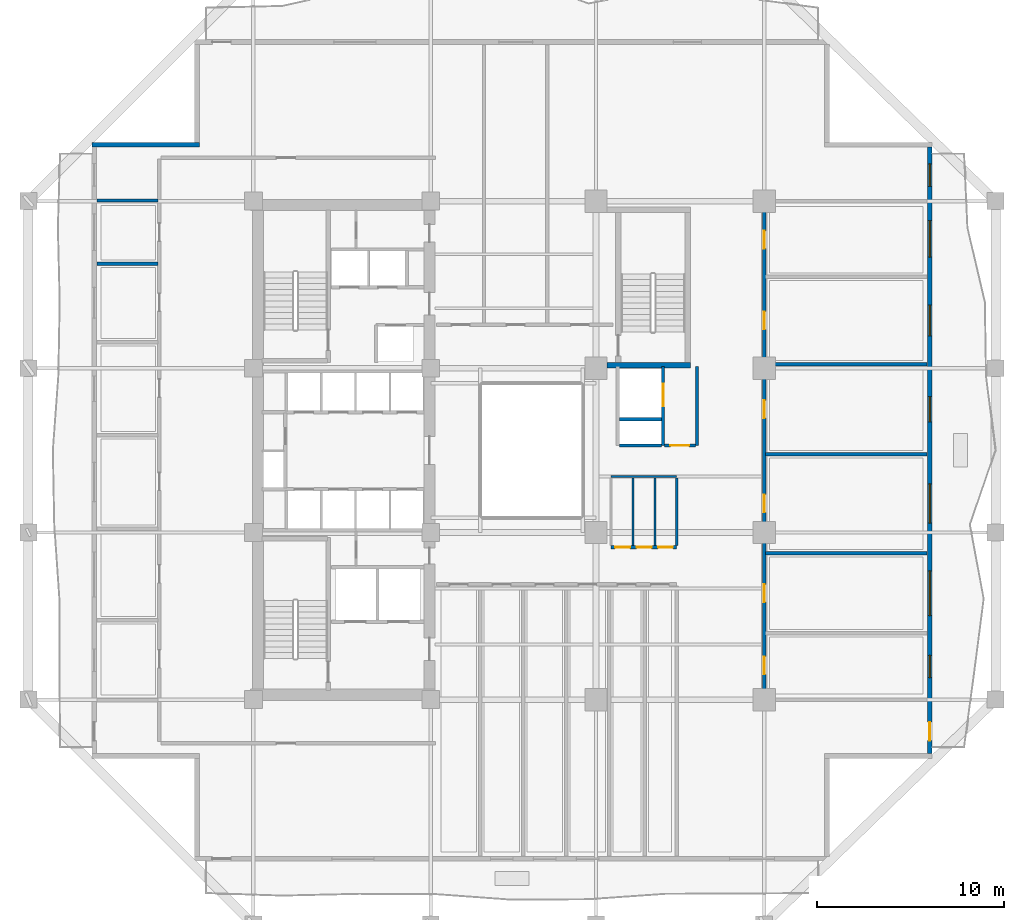
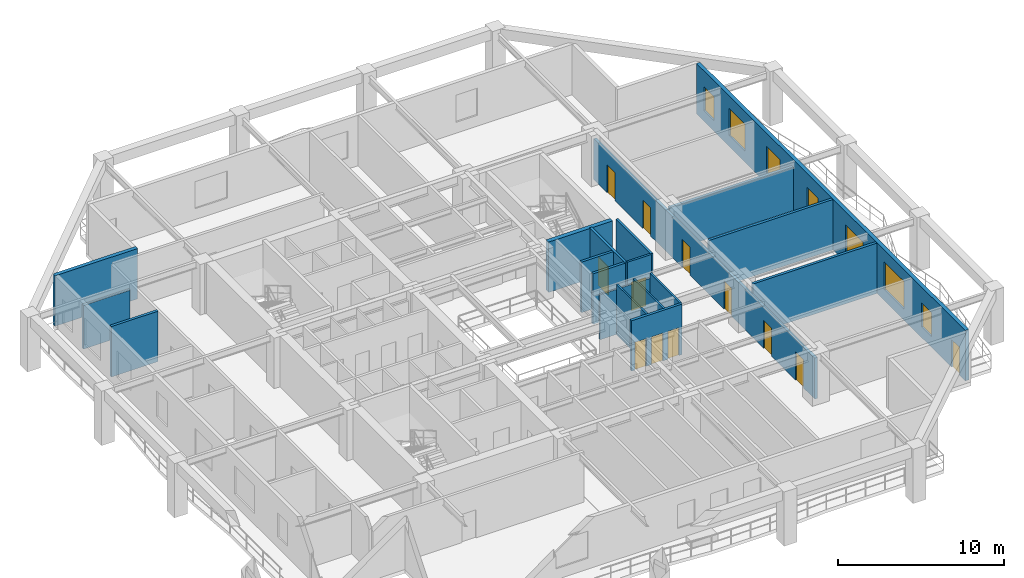
# One storey, part 5 of 14: 19 walls, 12 doors, 7 windows, 19 openings.
"""IFC4 building model written with IfcOpenShell, lengths in metres."""

import ifcopenshell
import ifcopenshell.guid

model = None  # the IFC model being written
_history = None  # IfcOwnerHistory: only IFC2X3 demands one
_inside = {}  # id of a spatial element -> (the spatial element, [elements in it])
_under = {}  # id of a project, library or spatial element -> (it, [spatial elements below it])
_declared = {}  # id of a project -> (the project, [libraries it declares])
_typed = {}  # id of a type object -> (the type object, [elements of that type])
_made_of = {}  # id of a material, layer set ... -> (it, [elements and type objects made of it])


def new_model(schema):
    """Start an empty IFC model of exactly this schema.

    Asked for "IFC4X3", IfcOpenShell would pick the latest addendum, in which some entities
    have other attributes; the version numbers below select the first issue.
    IFC2X3 requires an IfcOwnerHistory on every rooted entity: one is made here for all.
    """
    global model, _history
    if schema == "IFC4X3":
        model = ifcopenshell.file(schema_version=(4, 3, 0, 0))
    else:
        model = ifcopenshell.file(schema=schema)
    _inside.clear()
    _under.clear()
    _declared.clear()
    _typed.clear()
    _made_of.clear()
    _history = None
    if model.schema == "IFC2X3":
        org = make("IfcOrganization", Name="unknown")
        user = make(
            "IfcPersonAndOrganization",
            ThePerson=make("IfcPerson", FamilyName="unknown"),
            TheOrganization=org,
        )
        app = make(
            "IfcApplication",
            ApplicationDeveloper=org,
            Version="unknown",
            ApplicationFullName="unknown",
            ApplicationIdentifier="unknown",
        )
        _history = make(
            "IfcOwnerHistory",
            OwningUser=user,
            OwningApplication=app,
            ChangeAction="ADDED",
            CreationDate=0,
        )
    return model


def make(cls, **values):
    """One entity of the class cls with the attributes given. An attribute that is None is left unset."""
    return model.create_entity(
        cls, **{name: value for name, value in values.items() if value is not None}
    )


def rooted(cls, **values):
    """An entity with a GlobalId (a new one), such as an element, a storey or a relation."""
    return make(cls, GlobalId=ifcopenshell.guid.new(), OwnerHistory=_history, **values)


def si_unit(unit_type, name, prefix=None):
    """IfcSIUnit, for example si_unit("LENGTHUNIT", "METRE", prefix="MILLI")."""
    return make("IfcSIUnit", UnitType=unit_type, Prefix=prefix, Name=name)


def assignment(units):
    """IfcUnitAssignment: the units of a project."""
    return None if units is None else make("IfcUnitAssignment", Units=units)


def point(xyz):
    """IfcCartesianPoint."""
    return None if xyz is None else make("IfcCartesianPoint", Coordinates=xyz)


def direction(xyz):
    """IfcDirection."""
    return None if xyz is None else make("IfcDirection", DirectionRatios=xyz)


def frame(location, z_axis=None, x_axis=None):
    """IfcAxis2Placement3D, a coordinate frame: its origin and axes. An axis left out is left unset."""
    return make(
        "IfcAxis2Placement3D",
        Location=point(location),
        Axis=direction(z_axis),
        RefDirection=direction(x_axis),
    )


def frame_2d(location, x_axis=None):
    """IfcAxis2Placement2D, a coordinate frame in the plane: its origin and x axis."""
    return make(
        "IfcAxis2Placement2D", Location=point(location), RefDirection=direction(x_axis)
    )


def origin():
    """The frame at (0, 0, 0) with its axes left unset."""
    return frame((0.0, 0.0, 0.0))


def place(relative_to, where):
    """IfcLocalPlacement: puts the frame where relative to a parent placement (None: the world)."""
    return make(
        "IfcLocalPlacement", PlacementRelTo=relative_to, RelativePlacement=where
    )


def context(
    kind, dimensions, precision=None, world=None, true_north=None, identifier=None
):
    """IfcGeometricRepresentationContext, for example the 3D "Model" context."""
    return make(
        "IfcGeometricRepresentationContext",
        ContextIdentifier=identifier,
        ContextType=kind,
        CoordinateSpaceDimension=dimensions,
        Precision=precision,
        WorldCoordinateSystem=world,
        TrueNorth=true_north,
    )


def subcontext(parent, identifier, kind, view, scale=None):
    """IfcGeometricRepresentationSubContext, for example "Body" below "Model"."""
    return make(
        "IfcGeometricRepresentationSubContext",
        ContextIdentifier=identifier,
        ContextType=kind,
        ParentContext=parent,
        TargetScale=scale,
        TargetView=view,
    )


def project(units=None, contexts=None):
    """IfcProject with its units and contexts."""
    return rooted(
        "IfcProject",
        Name="project",
        RepresentationContexts=contexts,
        UnitsInContext=assignment(units),
    )


def spatial(cls, under=None, at=None, **own):
    """A site, building, storey or space (cls), placed at a placement, below another one or the project."""
    s = rooted(cls, ObjectPlacement=at, **own)
    if under is not None:
        _under.setdefault(under.id(), (under, []))[1].append(s)
    return s


def profile(cls, at=None, kind="AREA", **sizes):
    """A parametric profile (cls). Its sizes go by their IFC names, for example OverallWidth=200.0."""
    return make(cls, ProfileType=kind, Position=at, **sizes)


def rectangle(**sizes):
    """IfcRectangleProfileDef."""
    return profile("IfcRectangleProfileDef", **sizes)


def extrude(swept, where, along, depth):
    """IfcExtrudedAreaSolid: the profile swept, set in the frame where, extruded along a direction by depth."""
    return make(
        "IfcExtrudedAreaSolid",
        SweptArea=swept,
        Position=where,
        ExtrudedDirection=direction(along),
        Depth=depth,
    )


def shape(context_of_items, identifier, shape_type, items):
    """IfcShapeRepresentation: the items that make up one representation, for example the "Body"."""
    return make(
        "IfcShapeRepresentation",
        ContextOfItems=context_of_items,
        RepresentationIdentifier=identifier,
        RepresentationType=shape_type,
        Items=items,
    )


def material(Name=None, Category=None):
    """IfcMaterial."""
    return make("IfcMaterial", Name=Name, Category=Category)


def layer(
    of_material, thickness, ventilated=None, Name=None, Category=None, Priority=None
):
    """IfcMaterialLayer: one layer of a wall or slab, of a material (None: an air gap)."""
    return make(
        "IfcMaterialLayer",
        Material=of_material,
        LayerThickness=thickness,
        IsVentilated=ventilated,
        Name=Name,
        Category=Category,
        Priority=Priority,
    )


def layer_set(layers, Name=None):
    """IfcMaterialLayerSet."""
    return make("IfcMaterialLayerSet", MaterialLayers=layers, LayerSetName=Name)


def made_of(thing, what):
    """Note that an element or type object is made of a material, layer set ...; save() writes the relation."""
    if what is not None:
        _made_of.setdefault(what.id(), (what, []))[1].append(thing)
    return thing


def type_object(cls, material=None, **own):
    """A type object (cls), such as IfcWallType, which elements share."""
    return made_of(rooted(cls, **own), material)


def element(
    cls,
    number,
    at=None,
    inside=None,
    cuts=None,
    type_object=None,
    material=None,
    context=None,
    identifier="Body",
    shape_type=None,
    held_by="IfcProductDefinitionShape",
    body=None,
    shapes=None,
    **own,
):
    """One element of the class cls, such as IfcWall. Its Tag is "e" and its number.

    at: its placement. inside: the storey or other place that contains it. cuts: it is an
    opening in that element (IfcRelVoidsElement). A single representation is given by context,
    identifier, shape_type and body (its items); several are given by shapes. held_by: the class
    of the entity that holds the representations. save() writes the other relations.
    """
    e = rooted(cls, Tag="e%d" % number, ObjectPlacement=at, **own)
    if body is not None:
        shapes = [shape(context, identifier, shape_type, body)]
    if shapes is not None:
        e.Representation = make(held_by, Representations=shapes)
    if inside is not None:
        _inside.setdefault(inside.id(), (inside, []))[1].append(e)
    if cuts is not None:
        rooted(
            "IfcRelVoidsElement", RelatingBuildingElement=cuts, RelatedOpeningElement=e
        )
    if type_object is not None:
        _typed.setdefault(type_object.id(), (type_object, []))[1].append(e)
    return made_of(e, material)


def fill(opening, filler):
    """IfcRelFillsElement: the door or window that sits in an opening."""
    return rooted(
        "IfcRelFillsElement",
        RelatingOpeningElement=opening,
        RelatedBuildingElement=filler,
    )


def aggregate(whole, parts):
    """IfcRelAggregates: a whole, such as a stair, and the parts it consists of."""
    return rooted("IfcRelAggregates", RelatingObject=whole, RelatedObjects=parts)


def save(model, path):
    """Write the relations noted so far, then the file.

    IfcRelAggregates (storeys below a building ...), IfcRelContainedInSpatialStructure (elements
    in a storey), IfcRelDefinesByType, IfcRelAssociatesMaterial and IfcRelDeclares: one each for
    every whole, place, type object, material and project.
    """
    for whole, parts in _under.values():
        aggregate(whole, parts)
    for where, things in _inside.values():
        rooted(
            "IfcRelContainedInSpatialStructure",
            RelatedElements=things,
            RelatingStructure=where,
        )
    for kind, things in _typed.values():
        rooted("IfcRelDefinesByType", RelatedObjects=things, RelatingType=kind)
    for what, things in _made_of.values():
        rooted("IfcRelAssociatesMaterial", RelatedObjects=things, RelatingMaterial=what)
    for by, libraries in _declared.values():
        rooted("IfcRelDeclares", RelatingContext=by, RelatedDefinitions=libraries)
    model.write(path)


model = new_model("IFC4")

# Units and contexts
model_context = context("Model", 3, precision=1e-05, world=origin(), true_north=direction((0.0, 1.0)))
body_context = subcontext(model_context, "Body", "Model", "MODEL_VIEW")
ifc_project = project(units=[si_unit("LENGTHUNIT", "METRE"), si_unit("AREAUNIT", "SQUARE_METRE"), si_unit("VOLUMEUNIT", "CUBIC_METRE"), si_unit("PLANEANGLEUNIT", "RADIAN"), si_unit("MASSUNIT", "GRAM", prefix="KILO")], contexts=[model_context])

# Site, building, storey
site_placement = place(None, origin())
site = spatial("IfcSite", under=ifc_project, at=site_placement, CompositionType="ELEMENT")
building_placement = place(site_placement, origin())
building = spatial("IfcBuilding", under=site, at=building_placement, Name="Kundavana Baori Tower", CompositionType="ELEMENT")
storey_placement = place(building_placement, frame((0.0, 0.0, 74.0)))
storey = spatial("IfcBuildingStorey", under=building, at=storey_placement, Name="L17", CompositionType="ELEMENT", Elevation=74.0)

# Wall, openings, door, windows
ifc_material_1 = material(Name="Kiln-Fired Terracotta Brick-Slip Masonry on Concrete C40/50", Category="masonry")
ifc_layer_1 = layer(ifc_material_1, 0.260009765625, Name="WL-EXT-BRK-260")
ifc_layer_set_1 = layer_set([ifc_layer_1], Name="Kiln-Fired Terracotta Brick-Slip Masonry on Concrete C40/50")
wall_type_1 = type_object("IfcWallType", Name="WL-EXT-BRK-260", PredefinedType="SOLIDWALL", material=ifc_layer_set_1)
wall_1_placement = place(storey_placement, frame((51.669921875, 12.360107421875, 0.0), z_axis=(0.0, 0.0, 1.0), x_axis=(0.0, 1.0, 0.0)))
wall_1 = element("IfcWall", 1, at=wall_1_placement, inside=storey, type_object=wall_type_1, Name="L17 Exterior Insulated Facade Wall 04", PredefinedType="SOLIDWALL", context=body_context, shape_type="SweptSolid", body=[
    extrude(rectangle(XDim=32.47998046875, YDim=0.260009765625, at=frame_2d((16.239990234375, 0.0))), origin(), (0.0, 0.0, 1.0), 3.719970703125),
])
opening_1_placement = place(wall_1_placement, frame((0.68994140625, 0.0, 0.0)))
opening_1 = element("IfcOpeningElement", 2, at=opening_1_placement, cuts=wall_1, Name="Opening BD-1", PredefinedType="OPENING", context=body_context, shape_type="SweptSolid", body=[
    extrude(rectangle(XDim=1.0, YDim=2.050048828125, at=frame_2d((0.5, 1.02490234375))), frame((0.0, 0.14013671875, 0.0), z_axis=(0.0, -1.0, 0.0), x_axis=(1.0, 0.0, 0.0)), (0.0, 0.0, 1.0), 0.280029296875),
])
opening_2_placement = place(wall_1_placement, frame((4.06494140625, 0.0, 0.800048828125)))
opening_2 = element("IfcOpeningElement", 3, at=opening_2_placement, cuts=wall_1, Name="Opening W-03", PredefinedType="OPENING", context=body_context, shape_type="SweptSolid", body=[
    extrude(rectangle(XDim=1.199951171875, YDim=1.75, at=frame_2d((0.60009765625, 0.875))), frame((0.0, 0.14013671875, 0.0), z_axis=(0.0, -1.0, 0.0), x_axis=(1.0, 0.0, 0.0)), (0.0, 0.0, 1.0), 0.280029296875),
])
opening_3_placement = place(wall_1_placement, frame((7.389892578125, 0.0, 0.800048828125)))
opening_3 = element("IfcOpeningElement", 4, at=opening_3_placement, cuts=wall_1, Name="Opening W-04", PredefinedType="OPENING", context=body_context, shape_type="SweptSolid", body=[
    extrude(rectangle(XDim=2.39990234375, YDim=2.050048828125, at=frame_2d((1.199951171875, 1.02490234375))), frame((0.0, 0.14013671875, 0.0), z_axis=(0.0, -1.0, 0.0), x_axis=(1.0, 0.0, 0.0)), (0.0, 0.0, 1.0), 0.280029296875),
])
opening_4_placement = place(wall_1_placement, frame((12.340087890625, 0.0, 0.800048828125)))
opening_4 = element("IfcOpeningElement", 5, at=opening_4_placement, cuts=wall_1, Name="Opening W-05", PredefinedType="OPENING", context=body_context, shape_type="SweptSolid", body=[
    extrude(rectangle(XDim=2.10009765625, YDim=1.949951171875, at=frame_2d((1.050048828125, 0.97509765625))), frame((0.0, 0.14013671875, 0.0), z_axis=(0.0, -1.0, 0.0), x_axis=(1.0, 0.0, 0.0)), (0.0, 0.0, 1.0), 0.280029296875),
])
opening_5_placement = place(wall_1_placement, frame((17.764892578125, 0.0, 0.800048828125)))
opening_5 = element("IfcOpeningElement", 6, at=opening_5_placement, cuts=wall_1, Name="Opening W-07", PredefinedType="OPENING", context=body_context, shape_type="SweptSolid", body=[
    extrude(rectangle(XDim=1.35009765625, YDim=1.89990234375, at=frame_2d((0.675048828125, 0.949951171875))), frame((0.0, 0.14013671875, 0.0), z_axis=(0.0, -1.0, 0.0), x_axis=(1.0, 0.0, 0.0)), (0.0, 0.0, 1.0), 0.280029296875),
])
opening_6_placement = place(wall_1_placement, frame((22.364990234375, 0.0, 0.800048828125)))
opening_6 = element("IfcOpeningElement", 7, at=opening_6_placement, cuts=wall_1, Name="Opening W-08", PredefinedType="OPENING", context=body_context, shape_type="SweptSolid", body=[
    extrude(rectangle(XDim=1.64990234375, YDim=1.949951171875, at=frame_2d((0.824951171875, 0.97509765625))), frame((0.0, 0.14013671875, 0.0), z_axis=(0.0, -1.0, 0.0), x_axis=(1.0, 0.0, 0.0)), (0.0, 0.0, 1.0), 0.280029296875),
])
opening_7_placement = place(wall_1_placement, frame((26.590087890625, 0.0, 0.800048828125)))
opening_7 = element("IfcOpeningElement", 8, at=opening_7_placement, cuts=wall_1, Name="Opening W-09", PredefinedType="OPENING", context=body_context, shape_type="SweptSolid", body=[
    extrude(rectangle(XDim=1.949951171875, YDim=2.0, at=frame_2d((0.97509765625, 1.0))), frame((0.0, 0.14013671875, 0.0), z_axis=(0.0, -1.0, 0.0), x_axis=(1.0, 0.0, 0.0)), (0.0, 0.0, 1.0), 0.280029296875),
])
opening_8_placement = place(wall_1_placement, frame((30.3798828125, 0.0, 0.800048828125)))
opening_8 = element("IfcOpeningElement", 9, at=opening_8_placement, cuts=wall_1, Name="Opening W-03", PredefinedType="OPENING", context=body_context, shape_type="SweptSolid", body=[
    extrude(rectangle(XDim=1.199951171875, YDim=1.75, at=frame_2d((0.60009765625, 0.875))), frame((0.0, 0.14013671875, 0.0), z_axis=(0.0, -1.0, 0.0), x_axis=(1.0, 0.0, 0.0)), (0.0, 0.0, 1.0), 0.280029296875),
])
ifc_material_2 = material(Name="Architectural Patinated Bronze Metalwork")
door_type_1 = type_object("IfcDoorType", Name="DR-EXT-LOG-1000", OperationType="NOTDEFINED", PredefinedType="DOOR", material=ifc_material_2)
door_1_placement = place(opening_1_placement, frame((1.0, 0.0, 0.0), z_axis=(0.0, 0.0, 1.0), x_axis=(-1.0, 0.0, 0.0)))
door_1 = element("IfcDoor", 10, at=door_1_placement, inside=storey, type_object=door_type_1, Name="L17 Loggia Balcony Access Door E", OperationType="SINGLE_SWING_RIGHT", OverallHeight=2.050048828125, OverallWidth=1.0, PredefinedType="DOOR", context=body_context, shape_type="SweptSolid", body=[
    extrude(rectangle(XDim=1.0, YDim=2.050048828125, at=frame_2d((0.5, 1.02490234375))), frame((0.0, 0.02490234375, 0.0), z_axis=(0.0, -1.0, 0.0), x_axis=(1.0, 0.0, 0.0)), (0.0, 0.0, 1.0), 0.050048828125),
])
fill(opening_1, door_1)
ifc_material_3 = material(Name="Double-Glazed Solar-Control Low-E Insulated Glass", Category="glass")
window_type_1 = type_object("IfcWindowType", Name="WIN-LOG-1200x1750", PartitioningType="SINGLE_PANEL", PredefinedType="WINDOW", material=ifc_material_3)
window_1_placement = place(opening_2_placement, origin())
window_1 = element("IfcWindow", 11, at=window_1_placement, inside=storey, type_object=window_type_1, Name="L17 Recessed Loggia Window E-2", OverallHeight=1.75, OverallWidth=1.199951171875, PartitioningType="SINGLE_PANEL", PredefinedType="WINDOW", context=body_context, shape_type="SweptSolid", body=[
    extrude(rectangle(XDim=1.199951171875, YDim=1.75, at=frame_2d((0.60009765625, 0.875))), frame((0.0, 0.030029296875, 0.0), z_axis=(0.0, -1.0, 0.0), x_axis=(1.0, 0.0, 0.0)), (0.0, 0.0, 1.0), 0.06005859375),
])
fill(opening_2, window_1)
window_2_placement = place(opening_8_placement, origin())
window_2 = element("IfcWindow", 12, at=window_2_placement, inside=storey, type_object=window_type_1, Name="L17 Recessed Loggia Window E-8", OverallHeight=1.75, OverallWidth=1.199951171875, PartitioningType="SINGLE_PANEL", PredefinedType="WINDOW", context=body_context, shape_type="SweptSolid", body=[
    extrude(rectangle(XDim=1.199951171875, YDim=1.75, at=frame_2d((0.60009765625, 0.875))), frame((0.0, 0.030029296875, 0.0), z_axis=(0.0, -1.0, 0.0), x_axis=(1.0, 0.0, 0.0)), (0.0, 0.0, 1.0), 0.06005859375),
])
fill(opening_8, window_2)
ifc_material_4 = material(Name="Double-Glazed Solar-Control Low-E Insulated Glass", Category="glass")
window_type_2 = type_object("IfcWindowType", Name="WIN-LOG-1350x1900", PartitioningType="SINGLE_PANEL", PredefinedType="WINDOW", material=ifc_material_4)
window_3_placement = place(opening_5_placement, origin())
window_3 = element("IfcWindow", 13, at=window_3_placement, inside=storey, type_object=window_type_2, Name="L17 Recessed Loggia Window E-5", OverallHeight=1.89990234375, OverallWidth=1.35009765625, PartitioningType="SINGLE_PANEL", PredefinedType="WINDOW", context=body_context, shape_type="SweptSolid", body=[
    extrude(rectangle(XDim=1.35009765625, YDim=1.89990234375, at=frame_2d((0.675048828125, 0.949951171875))), frame((0.0, 0.030029296875, 0.0), z_axis=(0.0, -1.0, 0.0), x_axis=(1.0, 0.0, 0.0)), (0.0, 0.0, 1.0), 0.06005859375),
])
fill(opening_5, window_3)
ifc_material_5 = material(Name="Double-Glazed Solar-Control Low-E Insulated Glass", Category="glass")
window_type_3 = type_object("IfcWindowType", Name="WIN-LOG-1650x1950", PartitioningType="SINGLE_PANEL", PredefinedType="WINDOW", material=ifc_material_5)
window_4_placement = place(opening_6_placement, origin())
window_4 = element("IfcWindow", 14, at=window_4_placement, inside=storey, type_object=window_type_3, Name="L17 Recessed Loggia Window E-6", OverallHeight=1.949951171875, OverallWidth=1.64990234375, PartitioningType="SINGLE_PANEL", PredefinedType="WINDOW", context=body_context, shape_type="SweptSolid", body=[
    extrude(rectangle(XDim=1.64990234375, YDim=1.949951171875, at=frame_2d((0.824951171875, 0.97509765625))), frame((0.0, 0.030029296875, 0.0), z_axis=(0.0, -1.0, 0.0), x_axis=(1.0, 0.0, 0.0)), (0.0, 0.0, 1.0), 0.06005859375),
])
fill(opening_6, window_4)
ifc_material_6 = material(Name="Double-Glazed Solar-Control Low-E Insulated Glass", Category="glass")
window_type_4 = type_object("IfcWindowType", Name="WIN-LOG-1950x2000", PartitioningType="SINGLE_PANEL", PredefinedType="WINDOW", material=ifc_material_6)
window_5_placement = place(opening_7_placement, origin())
window_5 = element("IfcWindow", 15, at=window_5_placement, inside=storey, type_object=window_type_4, Name="L17 Recessed Loggia Window E-7", OverallHeight=2.0, OverallWidth=1.949951171875, PartitioningType="SINGLE_PANEL", PredefinedType="WINDOW", context=body_context, shape_type="SweptSolid", body=[
    extrude(rectangle(XDim=1.949951171875, YDim=2.0, at=frame_2d((0.97509765625, 1.0))), frame((0.0, 0.030029296875, 0.0), z_axis=(0.0, -1.0, 0.0), x_axis=(1.0, 0.0, 0.0)), (0.0, 0.0, 1.0), 0.06005859375),
])
fill(opening_7, window_5)
ifc_material_7 = material(Name="Double-Glazed Solar-Control Low-E Insulated Glass", Category="glass")
window_type_5 = type_object("IfcWindowType", Name="WIN-LOG-2100x1950", PartitioningType="SINGLE_PANEL", PredefinedType="WINDOW", material=ifc_material_7)
window_6_placement = place(opening_4_placement, origin())
window_6 = element("IfcWindow", 16, at=window_6_placement, inside=storey, type_object=window_type_5, Name="L17 Recessed Loggia Window E-4", OverallHeight=1.949951171875, OverallWidth=2.10009765625, PartitioningType="SINGLE_PANEL", PredefinedType="WINDOW", context=body_context, shape_type="SweptSolid", body=[
    extrude(rectangle(XDim=2.10009765625, YDim=1.949951171875, at=frame_2d((1.050048828125, 0.97509765625))), frame((0.0, 0.030029296875, 0.0), z_axis=(0.0, -1.0, 0.0), x_axis=(1.0, 0.0, 0.0)), (0.0, 0.0, 1.0), 0.06005859375),
])
fill(opening_4, window_6)
ifc_material_8 = material(Name="Double-Glazed Solar-Control Low-E Insulated Glass", Category="glass")
window_type_6 = type_object("IfcWindowType", Name="WIN-LOG-2400x2050", PartitioningType="SINGLE_PANEL", PredefinedType="WINDOW", material=ifc_material_8)
window_7_placement = place(opening_3_placement, origin())
window_7 = element("IfcWindow", 17, at=window_7_placement, inside=storey, type_object=window_type_6, Name="L17 Recessed Loggia Window E-3", OverallHeight=2.050048828125, OverallWidth=2.39990234375, PartitioningType="SINGLE_PANEL", PredefinedType="WINDOW", context=body_context, shape_type="SweptSolid", body=[
    extrude(rectangle(XDim=2.39990234375, YDim=2.050048828125, at=frame_2d((1.199951171875, 1.02490234375))), frame((0.0, 0.030029296875, 0.0), z_axis=(0.0, -1.0, 0.0), x_axis=(1.0, 0.0, 0.0)), (0.0, 0.0, 1.0), 0.06005859375),
])
fill(opening_3, window_7)

# Walls
wall_2_placement = place(storey_placement, frame((12.56005859375, 44.969970703125, 0.0), z_axis=(0.0, 0.0, 1.0), x_axis=(-1.0, 0.0, 0.0)))
element("IfcWall", 18, at=wall_2_placement, inside=storey, type_object=wall_type_1, Name="L17 Exterior Insulated Facade Wall 09", PredefinedType="SOLIDWALL", context=body_context, shape_type="SweptSolid", body=[
    extrude(rectangle(XDim=5.760009765625, YDim=0.260009765625, at=frame_2d((2.8798828125, 0.0))), origin(), (0.0, 0.0, 1.0), 3.719970703125),
])
ifc_material_9 = material(Name="Fire-Rated Gypsum Drywall on Galvanised Steel Studs", Category="steel")
ifc_layer_2 = layer(ifc_material_9, 0.14990234375, Name="WL-PART-150")
ifc_layer_set_2 = layer_set([ifc_layer_2], Name="Fire-Rated Gypsum Drywall on Galvanised Steel Studs")
wall_type_2 = type_object("IfcWallType", Name="WL-PART-150", PredefinedType="PARTITIONING", material=ifc_layer_set_2)
wall_3_placement = place(storey_placement, frame((39.199951171875, 28.860107421875, 0.0), z_axis=(0.0, 0.0, 1.0), x_axis=(0.0, 1.0, 0.0)))
element("IfcWall", 19, at=wall_3_placement, inside=storey, type_object=wall_type_2, Name="WL-L17-SVLOB-E", PredefinedType="PARTITIONING", context=body_context, shape_type="SweptSolid", body=[
    extrude(rectangle(XDim=4.219970703125, YDim=0.14990234375, at=frame_2d((2.10986328125, 0.0))), origin(), (0.0, 0.0, 1.0), 3.719970703125),
])

# Wall, opening, door
wall_4_placement = place(storey_placement, frame((37.47998046875, 28.860107421875, 0.0), z_axis=(0.0, 0.0, 1.0), x_axis=(1.0, 0.0, 0.0)))
wall_4 = element("IfcWall", 20, at=wall_4_placement, inside=storey, type_object=wall_type_2, Name="WL-L17-SVLOB-S", PredefinedType="PARTITIONING", context=body_context, shape_type="SweptSolid", body=[
    extrude(rectangle(XDim=1.64013671875, YDim=0.14990234375, at=frame_2d((0.820068359375, 0.0))), origin(), (0.0, 0.0, 1.0), 3.719970703125),
])
opening_9_placement = place(wall_4_placement, frame((0.300048828125, 0.0, 0.0)))
opening_9 = element("IfcOpeningElement", 21, at=opening_9_placement, cuts=wall_4, Name="Opening FD-100", PredefinedType="OPENING", context=body_context, shape_type="SweptSolid", body=[
    extrude(rectangle(XDim=1.0, YDim=2.10009765625, at=frame_2d((0.5, 1.050048828125))), frame((0.0, 0.0849609375, 0.0), z_axis=(0.0, -1.0, 0.0), x_axis=(1.0, 0.0, 0.0)), (0.0, 0.0, 1.0), 0.169921875),
])
ifc_material_10 = material(Name="Engineered Teak Fire-Rated Timber Door Leaf", Category="wood")
door_type_2 = type_object("IfcDoorType", Name="DR-FD60-1000", OperationType="NOTDEFINED", PredefinedType="DOOR", material=ifc_material_10)
door_2_placement = place(opening_9_placement, origin())
door_2 = element("IfcDoor", 22, at=door_2_placement, inside=storey, type_object=door_type_2, Name="DR-L17-SVLOB-OUT", OperationType="SINGLE_SWING_LEFT", OverallHeight=2.10009765625, OverallWidth=1.0, PredefinedType="DOOR", context=body_context, shape_type="SweptSolid", body=[
    extrude(rectangle(XDim=1.0, YDim=2.10009765625, at=frame_2d((0.5, 1.050048828125))), frame((0.0, 0.02490234375, 0.0), z_axis=(0.0, -1.0, 0.0), x_axis=(1.0, 0.0, 0.0)), (0.0, 0.0, 1.0), 0.050048828125),
])
fill(opening_9, door_2)

# Wall, openings, doors
ifc_material_11 = material(Name="Autoclaved Aerated Concrete Blockwork Masonry", Category="masonry")
ifc_layer_3 = layer(ifc_material_11, 0.18505859375, Name="WL-PART-180")
ifc_layer_set_3 = layer_set([ifc_layer_3], Name="Autoclaved Aerated Concrete Blockwork Masonry")
wall_type_3 = type_object("IfcWallType", Name="WL-PART-180", PredefinedType="SOLIDWALL", material=ifc_layer_set_3)
wall_5_placement = place(storey_placement, frame((34.60009765625, 23.419921875, 0.0), z_axis=(0.0, 0.0, 1.0), x_axis=(1.0, 0.0, 0.0)))
wall_5 = element("IfcWall", 23, at=wall_5_placement, inside=storey, type_object=wall_type_3, Name="WL-L17-OFST", PredefinedType="SOLIDWALL", context=body_context, shape_type="SweptSolid", body=[
    extrude(rectangle(XDim=3.52001953125, YDim=0.18505859375, at=frame_2d((1.760009765625, 0.0))), origin(), (0.0, 0.0, 1.0), 3.719970703125),
])
opening_10_placement = place(wall_5_placement, frame((0.219970703125, 0.0, 0.0)))
opening_10 = element("IfcOpeningElement", 24, at=opening_10_placement, cuts=wall_5, Name="Opening WD-080", PredefinedType="OPENING", context=body_context, shape_type="SweptSolid", body=[
    extrude(rectangle(XDim=0.800048828125, YDim=2.050048828125, at=frame_2d((0.39990234375, 1.02490234375))), frame((0.0, 0.1025390625, 0.0), z_axis=(0.0, -1.0, 0.0), x_axis=(1.0, 0.0, 0.0)), (0.0, 0.0, 1.0), 0.205078125),
])
opening_11_placement = place(wall_5_placement, frame((1.3798828125, 0.0, 0.0)))
opening_11 = element("IfcOpeningElement", 25, at=opening_11_placement, cuts=wall_5, Name="Opening WD-080", PredefinedType="OPENING", context=body_context, shape_type="SweptSolid", body=[
    extrude(rectangle(XDim=0.800048828125, YDim=2.050048828125, at=frame_2d((0.39990234375, 1.02490234375))), frame((0.0, 0.1025390625, 0.0), z_axis=(0.0, -1.0, 0.0), x_axis=(1.0, 0.0, 0.0)), (0.0, 0.0, 1.0), 0.205078125),
])
opening_12_placement = place(wall_5_placement, frame((2.52001953125, 0.0, 0.0)))
opening_12 = element("IfcOpeningElement", 26, at=opening_12_placement, cuts=wall_5, Name="Opening WD-080", PredefinedType="OPENING", context=body_context, shape_type="SweptSolid", body=[
    extrude(rectangle(XDim=0.800048828125, YDim=2.050048828125, at=frame_2d((0.39990234375, 1.02490234375))), frame((0.0, 0.1025390625, 0.0), z_axis=(0.0, -1.0, 0.0), x_axis=(1.0, 0.0, 0.0)), (0.0, 0.0, 1.0), 0.205078125),
])
ifc_material_12 = material(Name="Engineered Teak Solid-Core Timber Veneer", Category="wood")
door_type_3 = type_object("IfcDoorType", Name="DR-WET-800", OperationType="NOTDEFINED", PredefinedType="DOOR", material=ifc_material_12)
door_3_placement = place(opening_10_placement, origin())
door_3 = element("IfcDoor", 27, at=door_3_placement, inside=storey, type_object=door_type_3, Name="DR-L17-WCM", OperationType="SINGLE_SWING_LEFT", OverallHeight=2.050048828125, OverallWidth=0.800048828125, PredefinedType="DOOR", context=body_context, shape_type="SweptSolid", body=[
    extrude(rectangle(XDim=0.800048828125, YDim=2.050048828125, at=frame_2d((0.39990234375, 1.02490234375))), frame((0.0, 0.02490234375, 0.0), z_axis=(0.0, -1.0, 0.0), x_axis=(1.0, 0.0, 0.0)), (0.0, 0.0, 1.0), 0.050048828125),
])
fill(opening_10, door_3)
door_4_placement = place(opening_11_placement, origin())
door_4 = element("IfcDoor", 28, at=door_4_placement, inside=storey, type_object=door_type_3, Name="DR-L17-WCA", OperationType="SINGLE_SWING_RIGHT", OverallHeight=2.050048828125, OverallWidth=0.800048828125, PredefinedType="DOOR", context=body_context, shape_type="SweptSolid", body=[
    extrude(rectangle(XDim=0.800048828125, YDim=2.050048828125, at=frame_2d((0.39990234375, 1.02490234375))), frame((0.0, 0.02490234375, 0.0), z_axis=(0.0, -1.0, 0.0), x_axis=(1.0, 0.0, 0.0)), (0.0, 0.0, 1.0), 0.050048828125),
])
fill(opening_11, door_4)
door_5_placement = place(opening_12_placement, origin())
door_5 = element("IfcDoor", 29, at=door_5_placement, inside=storey, type_object=door_type_3, Name="DR-L17-PNT", OperationType="SINGLE_SWING_LEFT", OverallHeight=2.050048828125, OverallWidth=0.800048828125, PredefinedType="DOOR", context=body_context, shape_type="SweptSolid", body=[
    extrude(rectangle(XDim=0.800048828125, YDim=2.050048828125, at=frame_2d((0.39990234375, 1.02490234375))), frame((0.0, 0.02490234375, 0.0), z_axis=(0.0, -1.0, 0.0), x_axis=(1.0, 0.0, 0.0)), (0.0, 0.0, 1.0), 0.050048828125),
])
fill(opening_12, door_5)

wall_6_placement = place(storey_placement, frame((42.800048828125, 15.25, 0.0), z_axis=(0.0, 0.0, 1.0), x_axis=(0.0, 1.0, 0.0)))
wall_6 = element("IfcWall", 30, at=wall_6_placement, inside=storey, type_object=wall_type_3, Name="WL-L17-OFE", PredefinedType="SOLIDWALL", context=body_context, shape_type="SweptSolid", body=[
    extrude(rectangle(XDim=26.699951171875, YDim=0.18505859375, at=frame_2d((13.35009765625, 0.0))), origin(), (0.0, 0.0, 1.0), 3.02001953125),
])
opening_13_placement = place(wall_6_placement, frame((1.35009765625, 0.0, 0.0)))
opening_13 = element("IfcOpeningElement", 31, at=opening_13_placement, cuts=wall_6, Name="Opening ID-095", PredefinedType="OPENING", context=body_context, shape_type="SweptSolid", body=[
    extrude(rectangle(XDim=0.949951171875, YDim=2.080078125, at=frame_2d((0.47509765625, 1.0400390625))), frame((0.0, 0.1025390625, 0.0), z_axis=(0.0, -1.0, 0.0), x_axis=(1.0, 0.0, 0.0)), (0.0, 0.0, 1.0), 0.205078125),
])
opening_14_placement = place(wall_6_placement, frame((5.22509765625, 0.0, 0.0)))
opening_14 = element("IfcOpeningElement", 32, at=opening_14_placement, cuts=wall_6, Name="Opening ID-095", PredefinedType="OPENING", context=body_context, shape_type="SweptSolid", body=[
    extrude(rectangle(XDim=0.949951171875, YDim=2.080078125, at=frame_2d((0.47509765625, 1.0400390625))), frame((0.0, 0.1025390625, 0.0), z_axis=(0.0, -1.0, 0.0), x_axis=(1.0, 0.0, 0.0)), (0.0, 0.0, 1.0), 0.205078125),
])
opening_15_placement = place(wall_6_placement, frame((10.02490234375, 0.0, 0.0)))
opening_15 = element("IfcOpeningElement", 33, at=opening_15_placement, cuts=wall_6, Name="Opening ID-095", PredefinedType="OPENING", context=body_context, shape_type="SweptSolid", body=[
    extrude(rectangle(XDim=0.949951171875, YDim=2.080078125, at=frame_2d((0.47509765625, 1.0400390625))), frame((0.0, 0.1025390625, 0.0), z_axis=(0.0, -1.0, 0.0), x_axis=(1.0, 0.0, 0.0)), (0.0, 0.0, 1.0), 0.205078125),
])
opening_16_placement = place(wall_6_placement, frame((15.074951171875, 0.0, 0.0)))
opening_16 = element("IfcOpeningElement", 34, at=opening_16_placement, cuts=wall_6, Name="Opening ID-095", PredefinedType="OPENING", context=body_context, shape_type="SweptSolid", body=[
    extrude(rectangle(XDim=0.949951171875, YDim=2.080078125, at=frame_2d((0.47509765625, 1.0400390625))), frame((0.0, 0.1025390625, 0.0), z_axis=(0.0, -1.0, 0.0), x_axis=(1.0, 0.0, 0.0)), (0.0, 0.0, 1.0), 0.205078125),
])
opening_17_placement = place(wall_6_placement, frame((19.824951171875, 0.0, 0.0)))
opening_17 = element("IfcOpeningElement", 35, at=opening_17_placement, cuts=wall_6, Name="Opening ID-095", PredefinedType="OPENING", context=body_context, shape_type="SweptSolid", body=[
    extrude(rectangle(XDim=0.949951171875, YDim=2.080078125, at=frame_2d((0.47509765625, 1.0400390625))), frame((0.0, 0.1025390625, 0.0), z_axis=(0.0, -1.0, 0.0), x_axis=(1.0, 0.0, 0.0)), (0.0, 0.0, 1.0), 0.205078125),
])
opening_18_placement = place(wall_6_placement, frame((24.14990234375, 0.0, 0.0)))
opening_18 = element("IfcOpeningElement", 36, at=opening_18_placement, cuts=wall_6, Name="Opening ID-095", PredefinedType="OPENING", context=body_context, shape_type="SweptSolid", body=[
    extrude(rectangle(XDim=0.949951171875, YDim=2.080078125, at=frame_2d((0.47509765625, 1.0400390625))), frame((0.0, 0.1025390625, 0.0), z_axis=(0.0, -1.0, 0.0), x_axis=(1.0, 0.0, 0.0)), (0.0, 0.0, 1.0), 0.205078125),
])
ifc_material_13 = material(Name="Engineered Teak Solid-Core Timber Veneer", Category="wood")
door_type_4 = type_object("IfcDoorType", Name="DR-INT-950", OperationType="NOTDEFINED", PredefinedType="DOOR", material=ifc_material_13)
door_6_placement = place(opening_13_placement, origin())
door_6 = element("IfcDoor", 37, at=door_6_placement, inside=storey, type_object=door_type_4, Name="DR-L17-OFE1", OperationType="SINGLE_SWING_RIGHT", OverallHeight=2.080078125, OverallWidth=0.949951171875, PredefinedType="DOOR", context=body_context, shape_type="SweptSolid", body=[
    extrude(rectangle(XDim=0.949951171875, YDim=2.080078125, at=frame_2d((0.47509765625, 1.0400390625))), frame((0.0, 0.02490234375, 0.0), z_axis=(0.0, -1.0, 0.0), x_axis=(1.0, 0.0, 0.0)), (0.0, 0.0, 1.0), 0.050048828125),
])
fill(opening_13, door_6)
door_7_placement = place(opening_14_placement, origin())
door_7 = element("IfcDoor", 38, at=door_7_placement, inside=storey, type_object=door_type_4, Name="DR-L17-OFE2", OperationType="SINGLE_SWING_LEFT", OverallHeight=2.080078125, OverallWidth=0.949951171875, PredefinedType="DOOR", context=body_context, shape_type="SweptSolid", body=[
    extrude(rectangle(XDim=0.949951171875, YDim=2.080078125, at=frame_2d((0.47509765625, 1.0400390625))), frame((0.0, 0.02490234375, 0.0), z_axis=(0.0, -1.0, 0.0), x_axis=(1.0, 0.0, 0.0)), (0.0, 0.0, 1.0), 0.050048828125),
])
fill(opening_14, door_7)
door_8_placement = place(opening_15_placement, origin())
door_8 = element("IfcDoor", 39, at=door_8_placement, inside=storey, type_object=door_type_4, Name="DR-L17-OFE3", OperationType="SINGLE_SWING_RIGHT", OverallHeight=2.080078125, OverallWidth=0.949951171875, PredefinedType="DOOR", context=body_context, shape_type="SweptSolid", body=[
    extrude(rectangle(XDim=0.949951171875, YDim=2.080078125, at=frame_2d((0.47509765625, 1.0400390625))), frame((0.0, 0.02490234375, 0.0), z_axis=(0.0, -1.0, 0.0), x_axis=(1.0, 0.0, 0.0)), (0.0, 0.0, 1.0), 0.050048828125),
])
fill(opening_15, door_8)
door_9_placement = place(opening_16_placement, origin())
door_9 = element("IfcDoor", 40, at=door_9_placement, inside=storey, type_object=door_type_4, Name="DR-L17-OFE4", OperationType="SINGLE_SWING_LEFT", OverallHeight=2.080078125, OverallWidth=0.949951171875, PredefinedType="DOOR", context=body_context, shape_type="SweptSolid", body=[
    extrude(rectangle(XDim=0.949951171875, YDim=2.080078125, at=frame_2d((0.47509765625, 1.0400390625))), frame((0.0, 0.02490234375, 0.0), z_axis=(0.0, -1.0, 0.0), x_axis=(1.0, 0.0, 0.0)), (0.0, 0.0, 1.0), 0.050048828125),
])
fill(opening_16, door_9)
door_10_placement = place(opening_17_placement, origin())
door_10 = element("IfcDoor", 41, at=door_10_placement, inside=storey, type_object=door_type_4, Name="DR-L17-OFE5", OperationType="SINGLE_SWING_RIGHT", OverallHeight=2.080078125, OverallWidth=0.949951171875, PredefinedType="DOOR", context=body_context, shape_type="SweptSolid", body=[
    extrude(rectangle(XDim=0.949951171875, YDim=2.080078125, at=frame_2d((0.47509765625, 1.0400390625))), frame((0.0, 0.02490234375, 0.0), z_axis=(0.0, -1.0, 0.0), x_axis=(1.0, 0.0, 0.0)), (0.0, 0.0, 1.0), 0.050048828125),
])
fill(opening_17, door_10)
door_11_placement = place(opening_18_placement, origin())
door_11 = element("IfcDoor", 42, at=door_11_placement, inside=storey, type_object=door_type_4, Name="DR-L17-OFE6", OperationType="SINGLE_SWING_LEFT", OverallHeight=2.080078125, OverallWidth=0.949951171875, PredefinedType="DOOR", context=body_context, shape_type="SweptSolid", body=[
    extrude(rectangle(XDim=0.949951171875, YDim=2.080078125, at=frame_2d((0.47509765625, 1.0400390625))), frame((0.0, 0.02490234375, 0.0), z_axis=(0.0, -1.0, 0.0), x_axis=(1.0, 0.0, 0.0)), (0.0, 0.0, 1.0), 0.050048828125),
])
fill(opening_18, door_11)

# Walls
wall_7_placement = place(storey_placement, frame((7.080078125, 41.97998046875, 0.0), z_axis=(0.0, 0.0, 1.0), x_axis=(1.0, 0.0, 0.0)))
element("IfcWall", 43, at=wall_7_placement, inside=storey, type_object=wall_type_3, Name="WL-L17-OWN", PredefinedType="SOLIDWALL", context=body_context, shape_type="SweptSolid", body=[
    extrude(rectangle(XDim=3.260009765625, YDim=0.18505859375, at=frame_2d((1.6298828125, 0.0))), origin(), (0.0, 0.0, 1.0), 3.219970703125),
])
wall_8_placement = place(storey_placement, frame((7.080078125, 38.60009765625, 0.0), z_axis=(0.0, 0.0, 1.0), x_axis=(1.0, 0.0, 0.0)))
element("IfcWall", 44, at=wall_8_placement, inside=storey, type_object=wall_type_3, Name="WL-L17-WD5", PredefinedType="SOLIDWALL", context=body_context, shape_type="SweptSolid", body=[
    extrude(rectangle(XDim=3.260009765625, YDim=0.18505859375, at=frame_2d((1.6298828125, 0.0))), origin(), (0.0, 0.0, 1.0), 3.719970703125),
])
for number, where, z_axis, x_axis, name in (
    (45, (42.8798828125, 23.10009765625, 0.0), (0.0, 0.0, 1.0), (1.0, 0.0, 0.0), "WL-L17-ED2"),
    (46, (42.8798828125, 28.39990234375, 0.0), (0.0, 0.0, 1.0), (1.0, 0.0, 0.0), "WL-L17-ED3"),
):
    element("IfcWall", number, at=place(storey_placement, frame(where, z_axis=z_axis, x_axis=x_axis)), inside=storey, type_object=wall_type_3, Name=name, PredefinedType="SOLIDWALL", context=body_context, shape_type="SweptSolid", body=[
        extrude(rectangle(XDim=8.64013671875, YDim=0.18505859375, at=frame_2d((4.320068359375, 0.0))), origin(), (0.0, 0.0, 1.0), 3.719970703125),
    ])
wall_9_placement = place(storey_placement, frame((42.8798828125, 33.199951171875, 0.0), z_axis=(0.0, 0.0, 1.0), x_axis=(1.0, 0.0, 0.0)))
element("IfcWall", 47, at=wall_9_placement, inside=storey, type_object=wall_type_3, Name="WL-L17-ED4", PredefinedType="SOLIDWALL", context=body_context, shape_type="SweptSolid", body=[
    extrude(rectangle(XDim=8.64013671875, YDim=0.18505859375, at=frame_2d((4.320068359375, 0.0))), origin(), (0.0, 0.0, 1.0), 3.219970703125),
])

# Wall, opening, door
ifc_material_14 = material(Name="Autoclaved Aerated Concrete Blockwork Masonry", Category="masonry")
ifc_layer_4 = layer(ifc_material_14, 0.179931640625, Name="WL-SHAFT-180")
ifc_layer_set_4 = layer_set([ifc_layer_4], Name="Autoclaved Aerated Concrete Blockwork Masonry")
wall_type_4 = type_object("IfcWallType", Name="WL-SHAFT-180", PredefinedType="SOLIDWALL", material=ifc_layer_set_4)
wall_10_placement = place(storey_placement, frame((37.389892578125, 28.860107421875, 0.0), z_axis=(0.0, 0.0, 1.0), x_axis=(0.0, 1.0, 0.0)))
wall_10 = element("IfcWall", 48, at=wall_10_placement, inside=storey, type_object=wall_type_4, Name="WL-L17-SVL-E", PredefinedType="SOLIDWALL", context=body_context, shape_type="SweptSolid", body=[
    extrude(rectangle(XDim=4.219970703125, YDim=0.179931640625, at=frame_2d((2.10986328125, 0.0))), origin(), (0.0, 0.0, 1.0), 3.719970703125),
])
opening_19_placement = place(wall_10_placement, frame((2.10009765625, 0.0, 0.0)))
opening_19 = element("IfcOpeningElement", 49, at=opening_19_placement, cuts=wall_10, Name="Opening LD-120", PredefinedType="OPENING", context=body_context, shape_type="SweptSolid", body=[
    extrude(rectangle(XDim=1.199951171875, YDim=2.1201171875, at=frame_2d((0.60009765625, 1.06005859375))), frame((0.0, 0.10009765625, 0.0), z_axis=(0.0, -1.0, 0.0), x_axis=(1.0, 0.0, 0.0)), (0.0, 0.0, 1.0), 0.199951171875),
])
ifc_material_15 = material(Name="Galvanised Steel Fire-Rated Door Leaf", Category="steel")
door_type_5 = type_object("IfcDoorType", Name="DR-SLIDE-LD1200", OperationType="NOTDEFINED", PredefinedType="DOOR", material=ifc_material_15)
door_12_placement = place(opening_19_placement, frame((1.199951171875, 0.0, 0.0), z_axis=(0.0, 0.0, 1.0), x_axis=(-1.0, 0.0, 0.0)))
door_12 = element("IfcDoor", 50, at=door_12_placement, inside=storey, type_object=door_type_5, Name="DR-L17-LD-SVL1", OperationType="DOUBLE_DOOR_SLIDING", OverallHeight=2.1201171875, OverallWidth=1.199951171875, PredefinedType="DOOR", context=body_context, shape_type="SweptSolid", body=[
    extrude(rectangle(XDim=1.199951171875, YDim=2.1201171875, at=frame_2d((0.60009765625, 1.06005859375))), frame((0.0, 0.02490234375, 0.0), z_axis=(0.0, -1.0, 0.0), x_axis=(1.0, 0.0, 0.0)), (0.0, 0.0, 1.0), 0.050048828125),
])
fill(opening_19, door_12)

# Walls
for number, where, z_axis, x_axis, name in (
    (51, (35.050048828125, 28.860107421875, 0.0), (0.0, 0.0, 1.0), (1.0, 0.0, 0.0), "WL-L17-SVL-S"),
    (52, (35.050048828125, 30.27001953125, 0.0), (0.0, 0.0, 1.0), (1.0, 0.0, 0.0), "WL-L17-SVL-M"),
):
    element("IfcWall", number, at=place(storey_placement, frame(where, z_axis=z_axis, x_axis=x_axis)), inside=storey, type_object=wall_type_4, Name=name, PredefinedType="SOLIDWALL", context=body_context, shape_type="SweptSolid", body=[
        extrude(rectangle(XDim=2.25, YDim=0.179931640625, at=frame_2d((1.125, 0.0))), origin(), (0.0, 0.0, 1.0), 3.719970703125),
    ])
ifc_material_16 = material(Name="Concrete C50/60", Category="concrete")
ifc_layer_5 = layer(ifc_material_16, 0.300048828125, Name="WL-ST3-300")
ifc_layer_set_5 = layer_set([ifc_layer_5], Name="Concrete C50/60")
wall_type_5 = type_object("IfcWallType", Name="WL-ST3-300", PredefinedType="SHEAR", material=ifc_layer_set_5)
wall_11_placement = place(storey_placement, frame((34.39990234375, 33.159912109375, 0.0), z_axis=(0.0, 0.0, 1.0), x_axis=(1.0, 0.0, 0.0)))
element("IfcWall", 53, at=wall_11_placement, inside=storey, type_object=wall_type_5, Name="L17 Stair ST3 South Shear Wall", PredefinedType="SHEAR", context=body_context, shape_type="SweptSolid", body=[
    extrude(rectangle(XDim=4.47021484375, YDim=0.300048828125, at=frame_2d((2.235107421875, 0.0))), origin(), (0.0, 0.0, 1.0), 3.719970703125),
])
ifc_material_17 = material(Name="Autoclaved Aerated Concrete Blockwork Masonry", Category="masonry")
ifc_layer_6 = layer(ifc_material_17, 0.125, Name="WL-WET-120")
ifc_layer_set_6 = layer_set([ifc_layer_6], Name="Autoclaved Aerated Concrete Blockwork Masonry")
wall_type_6 = type_object("IfcWallType", Name="WL-WET-120", PredefinedType="PLUMBINGWALL", material=ifc_layer_set_6)
wall_12_placement = place(storey_placement, frame((34.60009765625, 27.199951171875, 0.0), z_axis=(0.0, 0.0, 1.0), x_axis=(1.0, 0.0, 0.0)))
element("IfcWall", 54, at=wall_12_placement, inside=storey, type_object=wall_type_6, Name="WL-L17-WCN", PredefinedType="PLUMBINGWALL", context=body_context, shape_type="SweptSolid", body=[
    extrude(rectangle(XDim=3.52001953125, YDim=0.125, at=frame_2d((1.760009765625, 0.0))), origin(), (0.0, 0.0, 1.0), 3.320068359375),
])
for number, where, z_axis, x_axis, name in (
    (55, (38.1201171875, 23.5, 0.0), (0.0, 0.0, 1.0), (0.0, 1.0, 0.0), "WL-L17-WCE"),
    (56, (35.780029296875, 23.5, 0.0), (0.0, 0.0, 1.0), (0.0, 1.0, 0.0), "WL-L17-WCD1"),
    (57, (36.9599609375, 23.5, 0.0), (0.0, 0.0, 1.0), (0.0, 1.0, 0.0), "WL-L17-WCD2"),
):
    element("IfcWall", number, at=place(storey_placement, frame(where, z_axis=z_axis, x_axis=x_axis)), inside=storey, type_object=wall_type_6, Name=name, PredefinedType="PLUMBINGWALL", context=body_context, shape_type="SweptSolid", body=[
        extrude(rectangle(XDim=3.6201171875, YDim=0.125, at=frame_2d((1.81005859375, 0.0))), origin(), (0.0, 0.0, 1.0), 3.719970703125),
    ])

save(model, "model.ifc")
